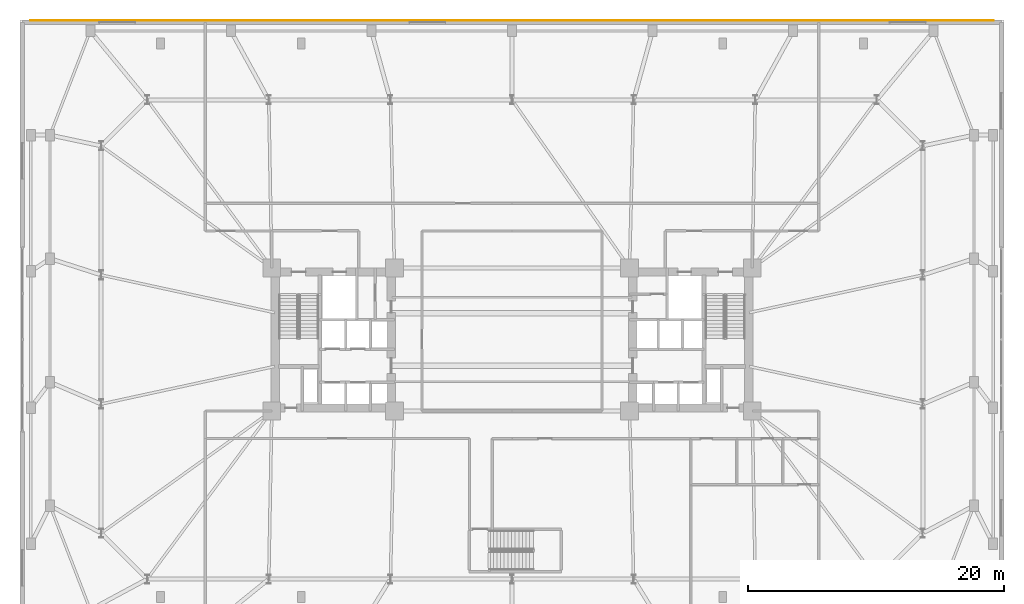
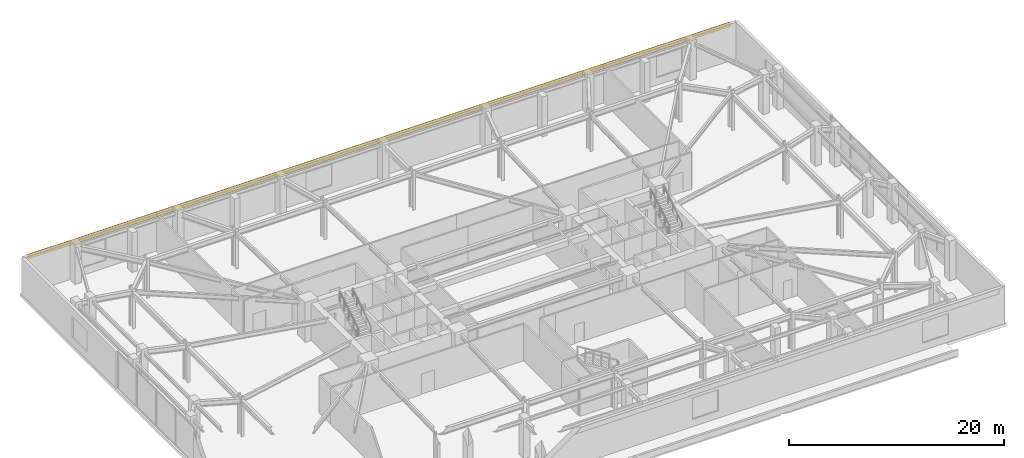
# One storey, part 21 of 21: 1 covering.
"""IFC4 building model written with IfcOpenShell, lengths in metres."""

import ifcopenshell
import ifcopenshell.guid

model = None  # the IFC model being written
_history = None  # IfcOwnerHistory: only IFC2X3 demands one
_inside = {}  # id of a spatial element -> (the spatial element, [elements in it])
_under = {}  # id of a project, library or spatial element -> (it, [spatial elements below it])
_declared = {}  # id of a project -> (the project, [libraries it declares])
_typed = {}  # id of a type object -> (the type object, [elements of that type])
_made_of = {}  # id of a material, layer set ... -> (it, [elements and type objects made of it])


def new_model(schema):
    """Start an empty IFC model of exactly this schema.

    Asked for "IFC4X3", IfcOpenShell would pick the latest addendum, in which some entities
    have other attributes; the version numbers below select the first issue.
    IFC2X3 requires an IfcOwnerHistory on every rooted entity: one is made here for all.
    """
    global model, _history
    if schema == "IFC4X3":
        model = ifcopenshell.file(schema_version=(4, 3, 0, 0))
    else:
        model = ifcopenshell.file(schema=schema)
    _inside.clear()
    _under.clear()
    _declared.clear()
    _typed.clear()
    _made_of.clear()
    _history = None
    if model.schema == "IFC2X3":
        org = make("IfcOrganization", Name="unknown")
        user = make(
            "IfcPersonAndOrganization",
            ThePerson=make("IfcPerson", FamilyName="unknown"),
            TheOrganization=org,
        )
        app = make(
            "IfcApplication",
            ApplicationDeveloper=org,
            Version="unknown",
            ApplicationFullName="unknown",
            ApplicationIdentifier="unknown",
        )
        _history = make(
            "IfcOwnerHistory",
            OwningUser=user,
            OwningApplication=app,
            ChangeAction="ADDED",
            CreationDate=0,
        )
    return model


def make(cls, **values):
    """One entity of the class cls with the attributes given. An attribute that is None is left unset."""
    return model.create_entity(
        cls, **{name: value for name, value in values.items() if value is not None}
    )


def rooted(cls, **values):
    """An entity with a GlobalId (a new one), such as an element, a storey or a relation."""
    return make(cls, GlobalId=ifcopenshell.guid.new(), OwnerHistory=_history, **values)


def si_unit(unit_type, name, prefix=None):
    """IfcSIUnit, for example si_unit("LENGTHUNIT", "METRE", prefix="MILLI")."""
    return make("IfcSIUnit", UnitType=unit_type, Prefix=prefix, Name=name)


def assignment(units):
    """IfcUnitAssignment: the units of a project."""
    return None if units is None else make("IfcUnitAssignment", Units=units)


def point(xyz):
    """IfcCartesianPoint."""
    return None if xyz is None else make("IfcCartesianPoint", Coordinates=xyz)


def direction(xyz):
    """IfcDirection."""
    return None if xyz is None else make("IfcDirection", DirectionRatios=xyz)


def frame(location, z_axis=None, x_axis=None):
    """IfcAxis2Placement3D, a coordinate frame: its origin and axes. An axis left out is left unset."""
    return make(
        "IfcAxis2Placement3D",
        Location=point(location),
        Axis=direction(z_axis),
        RefDirection=direction(x_axis),
    )


def origin():
    """The frame at (0, 0, 0) with its axes left unset."""
    return frame((0.0, 0.0, 0.0))


def place(relative_to, where):
    """IfcLocalPlacement: puts the frame where relative to a parent placement (None: the world)."""
    return make(
        "IfcLocalPlacement", PlacementRelTo=relative_to, RelativePlacement=where
    )


def context(
    kind, dimensions, precision=None, world=None, true_north=None, identifier=None
):
    """IfcGeometricRepresentationContext, for example the 3D "Model" context."""
    return make(
        "IfcGeometricRepresentationContext",
        ContextIdentifier=identifier,
        ContextType=kind,
        CoordinateSpaceDimension=dimensions,
        Precision=precision,
        WorldCoordinateSystem=world,
        TrueNorth=true_north,
    )


def subcontext(parent, identifier, kind, view, scale=None):
    """IfcGeometricRepresentationSubContext, for example "Body" below "Model"."""
    return make(
        "IfcGeometricRepresentationSubContext",
        ContextIdentifier=identifier,
        ContextType=kind,
        ParentContext=parent,
        TargetScale=scale,
        TargetView=view,
    )


def project(units=None, contexts=None):
    """IfcProject with its units and contexts."""
    return rooted(
        "IfcProject",
        Name="project",
        RepresentationContexts=contexts,
        UnitsInContext=assignment(units),
    )


def spatial(cls, under=None, at=None, **own):
    """A site, building, storey or space (cls), placed at a placement, below another one or the project."""
    s = rooted(cls, ObjectPlacement=at, **own)
    if under is not None:
        _under.setdefault(under.id(), (under, []))[1].append(s)
    return s


def polyline(points):
    """IfcPolyline through the points."""
    return make("IfcPolyline", Points=[point(p) for p in points])


def outline(outer, holes=None, kind="AREA"):
    """IfcArbitraryClosedProfileDef: a profile drawn as a closed curve; with holes, ...WithVoids."""
    if holes is None:
        return make("IfcArbitraryClosedProfileDef", ProfileType=kind, OuterCurve=outer)
    return make(
        "IfcArbitraryProfileDefWithVoids",
        ProfileType=kind,
        OuterCurve=outer,
        InnerCurves=holes,
    )


def extrude(swept, where, along, depth):
    """IfcExtrudedAreaSolid: the profile swept, set in the frame where, extruded along a direction by depth."""
    return make(
        "IfcExtrudedAreaSolid",
        SweptArea=swept,
        Position=where,
        ExtrudedDirection=direction(along),
        Depth=depth,
    )


def shape(context_of_items, identifier, shape_type, items):
    """IfcShapeRepresentation: the items that make up one representation, for example the "Body"."""
    return make(
        "IfcShapeRepresentation",
        ContextOfItems=context_of_items,
        RepresentationIdentifier=identifier,
        RepresentationType=shape_type,
        Items=items,
    )


def material(Name=None, Category=None):
    """IfcMaterial."""
    return make("IfcMaterial", Name=Name, Category=Category)


def layer(
    of_material, thickness, ventilated=None, Name=None, Category=None, Priority=None
):
    """IfcMaterialLayer: one layer of a wall or slab, of a material (None: an air gap)."""
    return make(
        "IfcMaterialLayer",
        Material=of_material,
        LayerThickness=thickness,
        IsVentilated=ventilated,
        Name=Name,
        Category=Category,
        Priority=Priority,
    )


def layer_set(layers, Name=None):
    """IfcMaterialLayerSet."""
    return make("IfcMaterialLayerSet", MaterialLayers=layers, LayerSetName=Name)


def made_of(thing, what):
    """Note that an element or type object is made of a material, layer set ...; save() writes the relation."""
    if what is not None:
        _made_of.setdefault(what.id(), (what, []))[1].append(thing)
    return thing


def type_object(cls, material=None, **own):
    """A type object (cls), such as IfcWallType, which elements share."""
    return made_of(rooted(cls, **own), material)


def element(
    cls,
    number,
    at=None,
    inside=None,
    cuts=None,
    type_object=None,
    material=None,
    context=None,
    identifier="Body",
    shape_type=None,
    held_by="IfcProductDefinitionShape",
    body=None,
    shapes=None,
    **own,
):
    """One element of the class cls, such as IfcWall. Its Tag is "e" and its number.

    at: its placement. inside: the storey or other place that contains it. cuts: it is an
    opening in that element (IfcRelVoidsElement). A single representation is given by context,
    identifier, shape_type and body (its items); several are given by shapes. held_by: the class
    of the entity that holds the representations. save() writes the other relations.
    """
    e = rooted(cls, Tag="e%d" % number, ObjectPlacement=at, **own)
    if body is not None:
        shapes = [shape(context, identifier, shape_type, body)]
    if shapes is not None:
        e.Representation = make(held_by, Representations=shapes)
    if inside is not None:
        _inside.setdefault(inside.id(), (inside, []))[1].append(e)
    if cuts is not None:
        rooted(
            "IfcRelVoidsElement", RelatingBuildingElement=cuts, RelatedOpeningElement=e
        )
    if type_object is not None:
        _typed.setdefault(type_object.id(), (type_object, []))[1].append(e)
    return made_of(e, material)


def aggregate(whole, parts):
    """IfcRelAggregates: a whole, such as a stair, and the parts it consists of."""
    return rooted("IfcRelAggregates", RelatingObject=whole, RelatedObjects=parts)


def save(model, path):
    """Write the relations noted so far, then the file.

    IfcRelAggregates (storeys below a building ...), IfcRelContainedInSpatialStructure (elements
    in a storey), IfcRelDefinesByType, IfcRelAssociatesMaterial and IfcRelDeclares: one each for
    every whole, place, type object, material and project.
    """
    for whole, parts in _under.values():
        aggregate(whole, parts)
    for where, things in _inside.values():
        rooted(
            "IfcRelContainedInSpatialStructure",
            RelatedElements=things,
            RelatingStructure=where,
        )
    for kind, things in _typed.values():
        rooted("IfcRelDefinesByType", RelatedObjects=things, RelatingType=kind)
    for what, things in _made_of.values():
        rooted("IfcRelAssociatesMaterial", RelatedObjects=things, RelatingMaterial=what)
    for by, libraries in _declared.values():
        rooted("IfcRelDeclares", RelatingContext=by, RelatedDefinitions=libraries)
    model.write(path)


model = new_model("IFC4")

# Units and contexts
model_context = context("Model", 3, precision=1e-05, world=origin(), true_north=direction((0.0, 1.0)))
body_context = subcontext(model_context, "Body", "Model", "MODEL_VIEW")
ifc_project = project(units=[si_unit("LENGTHUNIT", "METRE"), si_unit("AREAUNIT", "SQUARE_METRE"), si_unit("VOLUMEUNIT", "CUBIC_METRE"), si_unit("PLANEANGLEUNIT", "RADIAN"), si_unit("MASSUNIT", "GRAM", prefix="KILO")], contexts=[model_context])

# Site, building, storey
site_placement = place(None, origin())
site = spatial("IfcSite", under=ifc_project, at=site_placement, CompositionType="ELEMENT")
building_placement = place(site_placement, origin())
building = spatial("IfcBuilding", under=site, at=building_placement, Name="Qobustan Lattice House", CompositionType="ELEMENT")
storey_placement = place(building_placement, frame((0.0, 0.0, 4.5)))
storey = spatial("IfcBuildingStorey", under=building, at=storey_placement, Name="L01", CompositionType="ELEMENT", Elevation=4.5)

# Covering
ifc_material = material(Name="Qobustan buff limestone cladding", Category="masonry")
ifc_layer = layer(ifc_material, 0.044921875)
ifc_layer_set = layer_set([ifc_layer], Name="Qobustan buff limestone cladding")
covering_type = type_object("IfcCoveringType", Name="COV-STONE-CLAD", PredefinedType="CLADDING", material=ifc_layer_set)
covering_placement = place(storey_placement, frame((0.0, 0.0, 3.6201171875)))
element("IfcCovering", 1, at=covering_placement, inside=storey, type_object=covering_type, Name="L01 N Qobustan limestone cornice band", PredefinedType="CLADDING", context=body_context, shape_type="SweptSolid", body=[
    extrude(outline(polyline([(-37.699951171875, 24.9580078125), (-37.699951171875, 25.0029296875), (37.699951171875, 25.0029296875), (37.699951171875, 24.9580078125), (-37.699951171875, 24.9580078125)])), origin(), (0.0, 0.0, 1.0), 0.5498046875),
])

save(model, "model.ifc")
